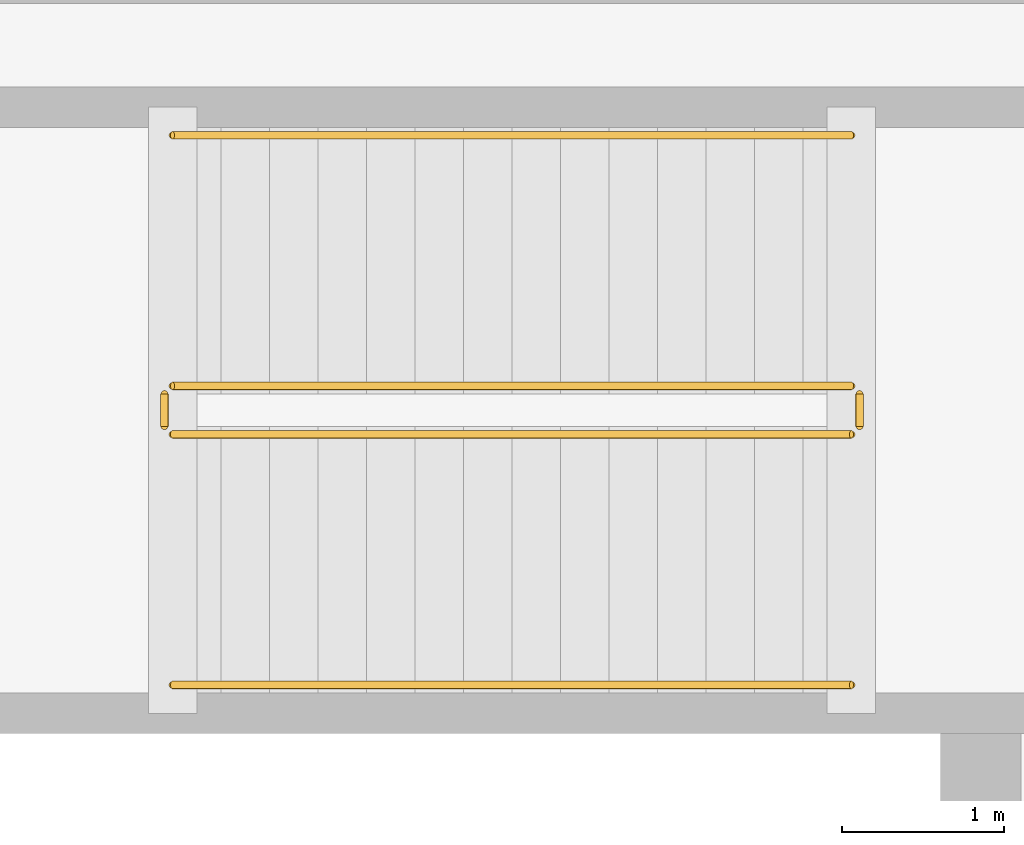
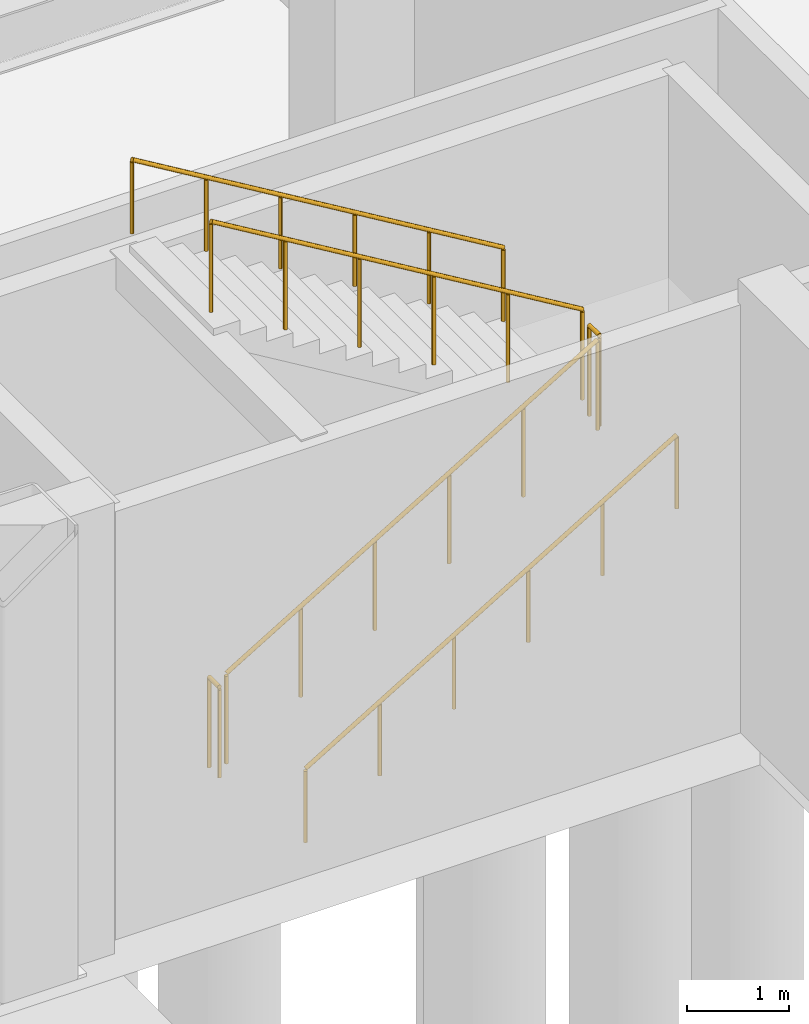
# One storey, part 44 of 55: 6 railings.
"""IFC4 building model written with IfcOpenShell, lengths in metres."""

from ifc_helpers import new_model, si_unit, direction, frame, origin, origin_2d, place, context, subcontext, project, spatial, circle, extrude, material, type_object, element, save


model = new_model("IFC4")

# Units and contexts
model_context = context("Model", 3, precision=1e-05, world=origin(), true_north=direction((0.0, 1.0)))
body_context = subcontext(model_context, "Body", "Model", "MODEL_VIEW")
ifc_project = project(units=[si_unit("LENGTHUNIT", "METRE"), si_unit("AREAUNIT", "SQUARE_METRE"), si_unit("VOLUMEUNIT", "CUBIC_METRE"), si_unit("PLANEANGLEUNIT", "RADIAN"), si_unit("MASSUNIT", "GRAM", prefix="KILO")], contexts=[model_context])

# Site, building, storey
site_placement = place(None, origin())
site = spatial("IfcSite", under=ifc_project, at=site_placement, CompositionType="ELEMENT")
building_placement = place(site_placement, origin())
building = spatial("IfcBuilding", under=site, at=building_placement, Name="Kazehara Bluff Congress Hotel", CompositionType="ELEMENT")
storey_placement = place(building_placement, frame((0.0, 0.0, -5.39990234375)))
storey = spatial("IfcBuildingStorey", under=building, at=storey_placement, Name="B1", CompositionType="ELEMENT", Elevation=-5.39990234375)

# Railings
ifc_material_1 = material(Name="Brushed stainless steel", Category="steel")
railing_type_1 = type_object("IfcRailingType", Name="TP-GRD-INT", PredefinedType="GUARDRAIL", material=ifc_material_1)
railing_1_placement = place(storey_placement, frame((11.800048828125, 50.25, 0.179931640625)))
element("IfcRailing", 1, at=railing_1_placement, inside=storey, type_object=railing_type_1, Name="B1 ST-03 stair guard 1", PredefinedType="GUARDRAIL", context=body_context, shape_type="SweptSolid", body=[
    extrude(circle(Radius=0.02392578125, at=origin_2d()), frame((0.0, 0.0, 1.076171875), z_axis=(0.857488527567, 0.0, 0.514503085598), x_axis=(0.0, 1.0, 0.0)), (0.0, 0.0, 1.0), 4.89794921875),
    extrude(circle(Radius=0.02099609375, at=origin_2d()), origin(), (0.0, 0.0, 1.0), 1.052001953125),
    extrude(circle(Radius=0.02099609375, at=origin_2d()), frame((0.840087890625, 0.0, 0.50390625)), (0.0, 0.0, 1.0), 1.052001953125),
    extrude(circle(Radius=0.02099609375, at=origin_2d()), frame((1.679931640625, 0.0, 1.008056640625)), (0.0, 0.0, 1.0), 1.052001953125),
    extrude(circle(Radius=0.02099609375, at=origin_2d()), frame((2.52001953125, 0.0, 1.511962890625)), (0.0, 0.0, 1.0), 1.052001953125),
    extrude(circle(Radius=0.02099609375, at=origin_2d()), frame((3.35986328125, 0.0, 2.01611328125)), (0.0, 0.0, 1.0), 1.052001953125),
    extrude(circle(Radius=0.02099609375, at=origin_2d()), frame((4.199951171875, 0.0, 2.52001953125)), (0.0, 0.0, 1.0), 1.052001953125),
])
railing_2_placement = place(storey_placement, frame((16.050048828125, 50.300048828125, 2.699951171875)))
element("IfcRailing", 2, at=railing_2_placement, inside=storey, type_object=railing_type_1, Name="B1 ST-03 stair guard 2", PredefinedType="GUARDRAIL", context=body_context, shape_type="SweptSolid", body=[
    extrude(circle(Radius=0.02392578125, at=origin_2d()), frame((0.0, 0.0, 1.076171875), z_axis=(0.0, 1.0, 0.0), x_axis=(-1.0, 0.0, 0.0)), (0.0, 0.0, 1.0), 0.199951171875),
    extrude(circle(Radius=0.02099609375, at=origin_2d()), origin(), (0.0, 0.0, 1.0), 1.052001953125),
    extrude(circle(Radius=0.02099609375, at=origin_2d()), frame((0.0, 0.199951171875, 0.0)), (0.0, 0.0, 1.0), 1.052001953125),
])
railing_3_placement = place(storey_placement, frame((16.0, 50.550048828125, 2.8798828125)))
element("IfcRailing", 3, at=railing_3_placement, inside=storey, type_object=railing_type_1, Name="B1 ST-03 stair guard 3", PredefinedType="GUARDRAIL", context=body_context, shape_type="SweptSolid", body=[
    extrude(circle(Radius=0.02392578125, at=origin_2d()), frame((0.0, 0.0, 1.076171875), z_axis=(-0.857488527567, 0.0, 0.514503085598), x_axis=(0.0, -1.0, 0.0)), (0.0, 0.0, 1.0), 4.89794921875),
    extrude(circle(Radius=0.02099609375, at=origin_2d()), origin(), (0.0, 0.0, 1.0), 1.052001953125),
    extrude(circle(Radius=0.02099609375, at=origin_2d()), frame((-0.840087890625, 0.0, 0.50390625)), (0.0, 0.0, 1.0), 1.052001953125),
    extrude(circle(Radius=0.02099609375, at=origin_2d()), frame((-1.679931640625, 0.0, 1.008056640625)), (0.0, 0.0, 1.0), 1.052001953125),
    extrude(circle(Radius=0.02099609375, at=origin_2d()), frame((-2.52001953125, 0.0, 1.511962890625)), (0.0, 0.0, 1.0), 1.052001953125),
    extrude(circle(Radius=0.02099609375, at=origin_2d()), frame((-3.35986328125, 0.0, 2.01611328125)), (0.0, 0.0, 1.0), 1.052001953125),
    extrude(circle(Radius=0.02099609375, at=origin_2d()), frame((-4.199951171875, 0.0, 2.52001953125)), (0.0, 0.0, 1.0), 1.052001953125),
])
railing_4_placement = place(storey_placement, frame((11.75, 50.300048828125, 0.0)))
element("IfcRailing", 4, at=railing_4_placement, inside=storey, type_object=railing_type_1, Name="B1 ST-03 stair guard 4", PredefinedType="GUARDRAIL", context=body_context, shape_type="SweptSolid", body=[
    extrude(circle(Radius=0.02392578125, at=origin_2d()), frame((0.0, 0.0, 1.076171875), z_axis=(0.0, 1.0, 0.0), x_axis=(-1.0, 0.0, 0.0)), (0.0, 0.0, 1.0), 0.199951171875),
    extrude(circle(Radius=0.02099609375, at=origin_2d()), origin(), (0.0, 0.0, 1.0), 1.052001953125),
    extrude(circle(Radius=0.02099609375, at=origin_2d()), frame((0.0, 0.199951171875, 0.0)), (0.0, 0.0, 1.0), 1.052001953125),
])
ifc_material_2 = material(Name="Brushed stainless steel", Category="steel")
railing_type_2 = type_object("IfcRailingType", Name="TP-HR-INT", PredefinedType="HANDRAIL", material=ifc_material_2)
railing_5_placement = place(storey_placement, frame((11.800048828125, 48.699951171875, 0.179931640625)))
element("IfcRailing", 5, at=railing_5_placement, inside=storey, type_object=railing_type_2, Name="B1 ST-03 stair handrail 1", PredefinedType="HANDRAIL", context=body_context, shape_type="SweptSolid", body=[
    extrude(circle(Radius=0.02392578125, at=origin_2d()), frame((0.0, 0.0, 0.8759765625), z_axis=(0.857488527567, 0.0, 0.514503085598), x_axis=(0.0, 1.0, 0.0)), (0.0, 0.0, 1.0), 4.89794921875),
    extrude(circle(Radius=0.02099609375, at=origin_2d()), origin(), (0.0, 0.0, 1.0), 0.851806640625),
    extrude(circle(Radius=0.02099609375, at=origin_2d()), frame((0.840087890625, 0.0, 0.50390625)), (0.0, 0.0, 1.0), 0.851806640625),
    extrude(circle(Radius=0.02099609375, at=origin_2d()), frame((1.679931640625, 0.0, 1.008056640625)), (0.0, 0.0, 1.0), 0.851806640625),
    extrude(circle(Radius=0.02099609375, at=origin_2d()), frame((2.52001953125, 0.0, 1.511962890625)), (0.0, 0.0, 1.0), 0.851806640625),
    extrude(circle(Radius=0.02099609375, at=origin_2d()), frame((3.35986328125, 0.0, 2.01611328125)), (0.0, 0.0, 1.0), 0.851806640625),
    extrude(circle(Radius=0.02099609375, at=origin_2d()), frame((4.199951171875, 0.0, 2.52001953125)), (0.0, 0.0, 1.0), 0.851806640625),
])
railing_6_placement = place(storey_placement, frame((16.0, 52.10009765625, 2.8798828125)))
element("IfcRailing", 6, at=railing_6_placement, inside=storey, type_object=railing_type_2, Name="B1 ST-03 stair handrail 2", PredefinedType="HANDRAIL", context=body_context, shape_type="SweptSolid", body=[
    extrude(circle(Radius=0.02392578125, at=origin_2d()), frame((0.0, 0.0, 0.8759765625), z_axis=(-0.857488527567, 0.0, 0.514503085598), x_axis=(0.0, -1.0, 0.0)), (0.0, 0.0, 1.0), 4.89794921875),
    extrude(circle(Radius=0.02099609375, at=origin_2d()), origin(), (0.0, 0.0, 1.0), 0.851806640625),
    extrude(circle(Radius=0.02099609375, at=origin_2d()), frame((-0.840087890625, 0.0, 0.50390625)), (0.0, 0.0, 1.0), 0.851806640625),
    extrude(circle(Radius=0.02099609375, at=origin_2d()), frame((-1.679931640625, 0.0, 1.008056640625)), (0.0, 0.0, 1.0), 0.851806640625),
    extrude(circle(Radius=0.02099609375, at=origin_2d()), frame((-2.52001953125, 0.0, 1.511962890625)), (0.0, 0.0, 1.0), 0.851806640625),
    extrude(circle(Radius=0.02099609375, at=origin_2d()), frame((-3.35986328125, 0.0, 2.01611328125)), (0.0, 0.0, 1.0), 0.851806640625),
    extrude(circle(Radius=0.02099609375, at=origin_2d()), frame((-4.199951171875, 0.0, 2.52001953125)), (0.0, 0.0, 1.0), 0.851806640625),
])

save(model, "model.ifc")
